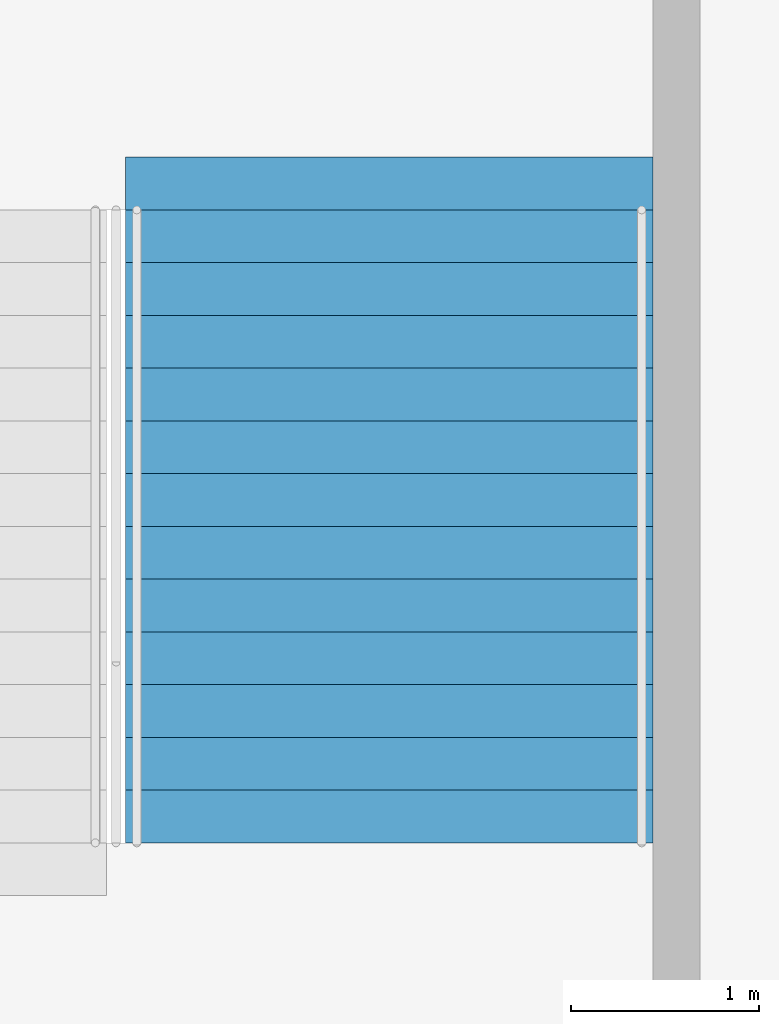
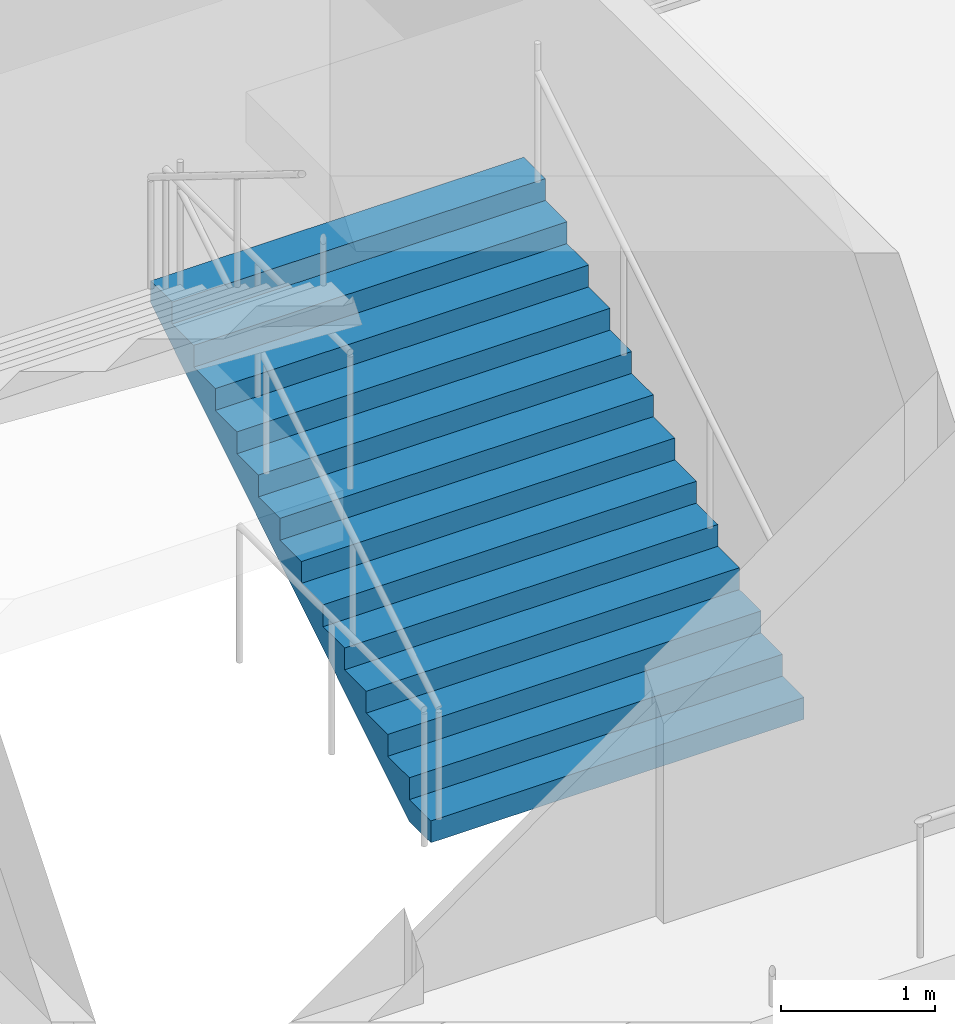
# One storey, part 151 of 177: 1 stair flight, 1 element without a shape of its own.
"""IFC4 building model written with IfcOpenShell, lengths in metres."""

from ifc_helpers import new_model, si_unit, direction, frame, origin, place, context, subcontext, project, spatial, faceted_brep, material, type_object, element, aggregate, save


model = new_model("IFC4")

# Units and contexts
model_context = context("Model", 3, precision=1e-05, world=origin(), true_north=direction((0.0, 1.0)))
body_context = subcontext(model_context, "Body", "Model", "MODEL_VIEW")
ifc_project = project(units=[si_unit("LENGTHUNIT", "METRE"), si_unit("AREAUNIT", "SQUARE_METRE"), si_unit("VOLUMEUNIT", "CUBIC_METRE"), si_unit("PLANEANGLEUNIT", "RADIAN"), si_unit("MASSUNIT", "GRAM", prefix="KILO")], contexts=[model_context])

# Site, building, storey
site_placement = place(None, origin())
site = spatial("IfcSite", under=ifc_project, at=site_placement, CompositionType="ELEMENT")
building_placement = place(site_placement, origin())
building = spatial("IfcBuilding", under=site, at=building_placement, Name="Ogive Plaza Stadium", CompositionType="ELEMENT")
storey_placement = place(building_placement, frame((0.0, 0.0, 18.0)))
storey = spatial("IfcBuildingStorey", under=building, at=storey_placement, Name="L04", CompositionType="ELEMENT", Elevation=18.0)

# Stair, stair flight
ifc_material_1 = material(Name="Concrete C40/50", Category="concrete")
stair_type = type_object("IfcStairType", Name="Exit stair", PredefinedType="STRAIGHT_RUN_STAIR", material=ifc_material_1)
stair_placement = place(storey_placement, origin())
stair = element("IfcStair", 1, at=stair_placement, inside=storey, type_object=stair_type, Name="Exit stair ST36A L04 to L05", PredefinedType="STRAIGHT_RUN_STAIR")
ifc_material_2 = material(Name="Concrete C40/50", Category="concrete")
stair_flight_type = type_object("IfcStairFlightType", Name="Exit stair flight", PredefinedType="STRAIGHT", material=ifc_material_2)
stair_flight_placement = place(storey_placement, frame((24.824951171875, 94.85009765625, 0.0), z_axis=(0.0, 0.0, 1.0), x_axis=(0.0, 1.0, 0.0)))
stair_flight = element("IfcStairFlight", 2, at=stair_flight_placement, type_object=stair_flight_type, Name="ST36A flight 1", NumberOfRisers=13, NumberOfTreads=12, PredefinedType="STRAIGHT", RiserHeight=0.173076923, TreadLength=0.28, context=body_context, shape_type="Brep", body=[
    faceted_brep([(0.28515625, -1.39990234375, 0.0), (3.639892578125, -1.39990234375, 2.07373046875), (3.639892578125, -1.39990234375, 2.25), (3.360107421875, -1.39990234375, 2.25), (3.360107421875, -1.39990234375, 2.076904296875), (3.080078125, -1.39990234375, 2.076904296875), (3.080078125, -1.39990234375, 1.90380859375), (2.800048828125, -1.39990234375, 1.90380859375), (2.800048828125, -1.39990234375, 1.730712890625), (2.52001953125, -1.39990234375, 1.730712890625), (2.52001953125, -1.39990234375, 1.5576171875), (2.239990234375, -1.39990234375, 1.5576171875), (2.239990234375, -1.39990234375, 1.384521484375), (1.9599609375, -1.39990234375, 1.384521484375), (1.9599609375, -1.39990234375, 1.21142578125), (1.679931640625, -1.39990234375, 1.21142578125), (1.679931640625, -1.39990234375, 1.03857421875), (1.39990234375, -1.39990234375, 1.03857421875), (1.39990234375, -1.39990234375, 0.865478515625), (1.1201171875, -1.39990234375, 0.865478515625), (1.1201171875, -1.39990234375, 0.6923828125), (0.840087890625, -1.39990234375, 0.6923828125), (0.840087890625, -1.39990234375, 0.519287109375), (0.56005859375, -1.39990234375, 0.519287109375), (0.56005859375, -1.39990234375, 0.34619140625), (0.280029296875, -1.39990234375, 0.34619140625), (0.280029296875, -1.39990234375, 0.173095703125), (0.0, -1.39990234375, 0.173095703125), (0.0, -1.39990234375, 0.0), (0.0, 1.39990234375, 0.0), (0.0, 1.39990234375, 0.173095703125), (0.280029296875, 1.39990234375, 0.173095703125), (0.280029296875, 1.39990234375, 0.34619140625), (0.56005859375, 1.39990234375, 0.34619140625), (0.56005859375, 1.39990234375, 0.519287109375), (0.840087890625, 1.39990234375, 0.519287109375), (0.840087890625, 1.39990234375, 0.6923828125), (1.1201171875, 1.39990234375, 0.6923828125), (1.1201171875, 1.39990234375, 0.865478515625), (1.39990234375, 1.39990234375, 0.865478515625), (1.39990234375, 1.39990234375, 1.03857421875), (1.679931640625, 1.39990234375, 1.03857421875), (1.679931640625, 1.39990234375, 1.21142578125), (1.9599609375, 1.39990234375, 1.21142578125), (1.9599609375, 1.39990234375, 1.384521484375), (2.239990234375, 1.39990234375, 1.384521484375), (2.239990234375, 1.39990234375, 1.5576171875), (2.52001953125, 1.39990234375, 1.5576171875), (2.52001953125, 1.39990234375, 1.730712890625), (2.800048828125, 1.39990234375, 1.730712890625), (2.800048828125, 1.39990234375, 1.90380859375), (3.080078125, 1.39990234375, 1.90380859375), (3.080078125, 1.39990234375, 2.076904296875), (3.360107421875, 1.39990234375, 2.076904296875), (3.360107421875, 1.39990234375, 2.25), (3.639892578125, 1.39990234375, 2.25), (3.639892578125, 1.39990234375, 2.07373046875), (0.28515625, 1.39990234375, 0.0), (0.28515625, -1.0888671875, 0.0), (3.639892578125, -1.0888671875, 2.07373046875), (0.28515625, -0.77783203125, 0.0), (3.639892578125, -0.77783203125, 2.07373046875), (0.28515625, -0.466796875, 0.0), (3.639892578125, -0.466796875, 2.07373046875), (0.28515625, -0.155517578125, 0.0), (3.639892578125, -0.155517578125, 2.07373046875), (0.28515625, 0.155517578125, 0.0), (3.639892578125, 0.155517578125, 2.07373046875), (0.28515625, 0.466796875, 0.0), (3.639892578125, 0.466796875, 2.07373046875), (0.28515625, 0.77783203125, 0.0), (3.639892578125, 0.77783203125, 2.07373046875), (0.28515625, 1.0888671875, 0.0), (3.639892578125, 1.0888671875, 2.07373046875), (3.639892578125, -1.0888671875, 2.25), (3.639892578125, -0.77783203125, 2.25), (3.639892578125, -0.466796875, 2.25), (3.639892578125, -0.155517578125, 2.25), (3.639892578125, 0.155517578125, 2.25), (3.639892578125, 0.466796875, 2.25), (3.639892578125, 0.77783203125, 2.25), (3.639892578125, 1.0888671875, 2.25), (3.360107421875, -1.0888671875, 2.25), (3.360107421875, -0.77783203125, 2.25), (3.360107421875, -0.466796875, 2.25), (3.360107421875, -0.155517578125, 2.25), (3.360107421875, 0.155517578125, 2.25), (3.360107421875, 0.466796875, 2.25), (3.360107421875, 0.77783203125, 2.25), (3.360107421875, 1.0888671875, 2.25), (3.360107421875, -1.0888671875, 2.076904296875), (3.360107421875, -0.77783203125, 2.076904296875), (3.360107421875, -0.466796875, 2.076904296875), (3.360107421875, -0.155517578125, 2.076904296875), (3.360107421875, 0.155517578125, 2.076904296875), (3.360107421875, 0.466796875, 2.076904296875), (3.360107421875, 0.77783203125, 2.076904296875), (3.360107421875, 1.0888671875, 2.076904296875), (3.080078125, -1.0888671875, 2.076904296875), (3.080078125, -0.77783203125, 2.076904296875), (3.080078125, -0.466796875, 2.076904296875), (3.080078125, -0.155517578125, 2.076904296875), (3.080078125, 0.155517578125, 2.076904296875), (3.080078125, 0.466796875, 2.076904296875), (3.080078125, 0.77783203125, 2.076904296875), (3.080078125, 1.0888671875, 2.076904296875), (3.080078125, -1.0888671875, 1.90380859375), (3.080078125, -0.77783203125, 1.90380859375), (3.080078125, -0.466796875, 1.90380859375), (3.080078125, -0.155517578125, 1.90380859375), (3.080078125, 0.155517578125, 1.90380859375), (3.080078125, 0.466796875, 1.90380859375), (3.080078125, 0.77783203125, 1.90380859375), (3.080078125, 1.0888671875, 1.90380859375), (2.800048828125, -1.0888671875, 1.90380859375), (2.800048828125, -0.77783203125, 1.90380859375), (2.800048828125, -0.466796875, 1.90380859375), (2.800048828125, -0.155517578125, 1.90380859375), (2.800048828125, 0.155517578125, 1.90380859375), (2.800048828125, 0.466796875, 1.90380859375), (2.800048828125, 0.77783203125, 1.90380859375), (2.800048828125, 1.0888671875, 1.90380859375), (2.800048828125, -1.0888671875, 1.730712890625), (2.800048828125, -0.77783203125, 1.730712890625), (2.800048828125, -0.466796875, 1.730712890625), (2.800048828125, -0.155517578125, 1.730712890625), (2.800048828125, 0.155517578125, 1.730712890625), (2.800048828125, 0.466796875, 1.730712890625), (2.800048828125, 0.77783203125, 1.730712890625), (2.800048828125, 1.0888671875, 1.730712890625), (2.52001953125, -1.0888671875, 1.730712890625), (2.52001953125, -0.77783203125, 1.730712890625), (2.52001953125, -0.466796875, 1.730712890625), (2.52001953125, -0.155517578125, 1.730712890625), (2.52001953125, 0.155517578125, 1.730712890625), (2.52001953125, 0.466796875, 1.730712890625), (2.52001953125, 0.77783203125, 1.730712890625), (2.52001953125, 1.0888671875, 1.730712890625), (2.52001953125, -1.0888671875, 1.5576171875), (2.52001953125, -0.77783203125, 1.5576171875), (2.52001953125, -0.466796875, 1.5576171875), (2.52001953125, -0.155517578125, 1.5576171875), (2.52001953125, 0.155517578125, 1.5576171875), (2.52001953125, 0.466796875, 1.5576171875), (2.52001953125, 0.77783203125, 1.5576171875), (2.52001953125, 1.0888671875, 1.5576171875), (2.239990234375, -1.0888671875, 1.5576171875), (2.239990234375, -0.77783203125, 1.5576171875), (2.239990234375, -0.466796875, 1.5576171875), (2.239990234375, -0.155517578125, 1.5576171875), (2.239990234375, 0.155517578125, 1.5576171875), (2.239990234375, 0.466796875, 1.5576171875), (2.239990234375, 0.77783203125, 1.5576171875), (2.239990234375, 1.0888671875, 1.5576171875), (2.239990234375, -1.0888671875, 1.384521484375), (2.239990234375, -0.77783203125, 1.384521484375), (2.239990234375, -0.466796875, 1.384521484375), (2.239990234375, -0.155517578125, 1.384521484375), (2.239990234375, 0.155517578125, 1.384521484375), (2.239990234375, 0.466796875, 1.384521484375), (2.239990234375, 0.77783203125, 1.384521484375), (2.239990234375, 1.0888671875, 1.384521484375), (1.9599609375, -1.0888671875, 1.384521484375), (1.9599609375, -0.77783203125, 1.384521484375), (1.9599609375, -0.466796875, 1.384521484375), (1.9599609375, -0.155517578125, 1.384521484375), (1.9599609375, 0.155517578125, 1.384521484375), (1.9599609375, 0.466796875, 1.384521484375), (1.9599609375, 0.77783203125, 1.384521484375), (1.9599609375, 1.0888671875, 1.384521484375), (1.9599609375, -1.0888671875, 1.21142578125), (1.9599609375, -0.77783203125, 1.21142578125), (1.9599609375, -0.466796875, 1.21142578125), (1.9599609375, -0.155517578125, 1.21142578125), (1.9599609375, 0.155517578125, 1.21142578125), (1.9599609375, 0.466796875, 1.21142578125), (1.9599609375, 0.77783203125, 1.21142578125), (1.9599609375, 1.0888671875, 1.21142578125), (1.679931640625, -1.0888671875, 1.21142578125), (1.679931640625, -0.77783203125, 1.21142578125), (1.679931640625, -0.466796875, 1.21142578125), (1.679931640625, -0.155517578125, 1.21142578125), (1.679931640625, 0.155517578125, 1.21142578125), (1.679931640625, 0.466796875, 1.21142578125), (1.679931640625, 0.77783203125, 1.21142578125), (1.679931640625, 1.0888671875, 1.21142578125), (1.679931640625, -1.0888671875, 1.03857421875), (1.679931640625, -0.77783203125, 1.03857421875), (1.679931640625, -0.466796875, 1.03857421875), (1.679931640625, -0.155517578125, 1.03857421875), (1.679931640625, 0.155517578125, 1.03857421875), (1.679931640625, 0.466796875, 1.03857421875), (1.679931640625, 0.77783203125, 1.03857421875), (1.679931640625, 1.0888671875, 1.03857421875), (1.39990234375, -1.0888671875, 1.03857421875), (1.39990234375, -0.77783203125, 1.03857421875), (1.39990234375, -0.466796875, 1.03857421875), (1.39990234375, -0.155517578125, 1.03857421875), (1.39990234375, 0.155517578125, 1.03857421875), (1.39990234375, 0.466796875, 1.03857421875), (1.39990234375, 0.77783203125, 1.03857421875), (1.39990234375, 1.0888671875, 1.03857421875), (1.39990234375, -1.0888671875, 0.865478515625), (1.39990234375, -0.77783203125, 0.865478515625), (1.39990234375, -0.466796875, 0.865478515625), (1.39990234375, -0.155517578125, 0.865478515625), (1.39990234375, 0.155517578125, 0.865478515625), (1.39990234375, 0.466796875, 0.865478515625), (1.39990234375, 0.77783203125, 0.865478515625), (1.39990234375, 1.0888671875, 0.865478515625), (1.1201171875, -1.0888671875, 0.865478515625), (1.1201171875, -0.77783203125, 0.865478515625), (1.1201171875, -0.466796875, 0.865478515625), (1.1201171875, -0.155517578125, 0.865478515625), (1.1201171875, 0.155517578125, 0.865478515625), (1.1201171875, 0.466796875, 0.865478515625), (1.1201171875, 0.77783203125, 0.865478515625), (1.1201171875, 1.0888671875, 0.865478515625), (1.1201171875, -1.0888671875, 0.6923828125), (1.1201171875, -0.77783203125, 0.6923828125), (1.1201171875, -0.466796875, 0.6923828125), (1.1201171875, -0.155517578125, 0.6923828125), (1.1201171875, 0.155517578125, 0.6923828125), (1.1201171875, 0.466796875, 0.6923828125), (1.1201171875, 0.77783203125, 0.6923828125), (1.1201171875, 1.0888671875, 0.6923828125), (0.840087890625, -1.0888671875, 0.6923828125), (0.840087890625, -0.77783203125, 0.6923828125), (0.840087890625, -0.466796875, 0.6923828125), (0.840087890625, -0.155517578125, 0.6923828125), (0.840087890625, 0.155517578125, 0.6923828125), (0.840087890625, 0.466796875, 0.6923828125), (0.840087890625, 0.77783203125, 0.6923828125), (0.840087890625, 1.0888671875, 0.6923828125), (0.840087890625, -1.0888671875, 0.519287109375), (0.840087890625, -0.77783203125, 0.519287109375), (0.840087890625, -0.466796875, 0.519287109375), (0.840087890625, -0.155517578125, 0.519287109375), (0.840087890625, 0.155517578125, 0.519287109375), (0.840087890625, 0.466796875, 0.519287109375), (0.840087890625, 0.77783203125, 0.519287109375), (0.840087890625, 1.0888671875, 0.519287109375), (0.56005859375, -1.0888671875, 0.519287109375), (0.56005859375, -0.77783203125, 0.519287109375), (0.56005859375, -0.466796875, 0.519287109375), (0.56005859375, -0.155517578125, 0.519287109375), (0.56005859375, 0.155517578125, 0.519287109375), (0.56005859375, 0.466796875, 0.519287109375), (0.56005859375, 0.77783203125, 0.519287109375), (0.56005859375, 1.0888671875, 0.519287109375), (0.56005859375, -1.0888671875, 0.34619140625), (0.56005859375, -0.77783203125, 0.34619140625), (0.56005859375, -0.466796875, 0.34619140625), (0.56005859375, -0.155517578125, 0.34619140625), (0.56005859375, 0.155517578125, 0.34619140625), (0.56005859375, 0.466796875, 0.34619140625), (0.56005859375, 0.77783203125, 0.34619140625), (0.56005859375, 1.0888671875, 0.34619140625), (0.280029296875, -1.0888671875, 0.34619140625), (0.280029296875, -0.77783203125, 0.34619140625), (0.280029296875, -0.466796875, 0.34619140625), (0.280029296875, -0.155517578125, 0.34619140625), (0.280029296875, 0.155517578125, 0.34619140625), (0.280029296875, 0.466796875, 0.34619140625), (0.280029296875, 0.77783203125, 0.34619140625), (0.280029296875, 1.0888671875, 0.34619140625), (0.280029296875, -1.0888671875, 0.173095703125), (0.280029296875, -0.77783203125, 0.173095703125), (0.280029296875, -0.466796875, 0.173095703125), (0.280029296875, -0.155517578125, 0.173095703125), (0.280029296875, 0.155517578125, 0.173095703125), (0.280029296875, 0.466796875, 0.173095703125), (0.280029296875, 0.77783203125, 0.173095703125), (0.280029296875, 1.0888671875, 0.173095703125), (0.0, -1.0888671875, 0.173095703125), (0.0, -0.77783203125, 0.173095703125), (0.0, -0.466796875, 0.173095703125), (0.0, -0.155517578125, 0.173095703125), (0.0, 0.155517578125, 0.173095703125), (0.0, 0.466796875, 0.173095703125), (0.0, 0.77783203125, 0.173095703125), (0.0, 1.0888671875, 0.173095703125), (0.0, -1.0888671875, 0.0), (0.0, -0.77783203125, 0.0), (0.0, -0.466796875, 0.0), (0.0, -0.155517578125, 0.0), (0.0, 0.155517578125, 0.0), (0.0, 0.466796875, 0.0), (0.0, 0.77783203125, 0.0), (0.0, 1.0888671875, 0.0)], [[[0, 1, 2, 3, 4, 5, 6, 7, 8, 9, 10, 11, 12, 13, 14, 15, 16, 17, 18, 19, 20, 21, 22, 23, 24, 25, 26, 27, 28]], [[29, 30, 31, 32, 33, 34, 35, 36, 37, 38, 39, 40, 41, 42, 43, 44, 45, 46, 47, 48, 49, 50, 51, 52, 53, 54, 55, 56, 57]], [[0, 58, 59, 1]], [[58, 60, 61, 59]], [[60, 62, 63, 61]], [[62, 64, 65, 63]], [[64, 66, 67, 65]], [[66, 68, 69, 67]], [[68, 70, 71, 69]], [[70, 72, 73, 71]], [[72, 57, 56, 73]], [[1, 59, 74, 2]], [[59, 61, 75, 74]], [[61, 63, 76, 75]], [[63, 65, 77, 76]], [[65, 67, 78, 77]], [[67, 69, 79, 78]], [[69, 71, 80, 79]], [[71, 73, 81, 80]], [[73, 56, 55, 81]], [[2, 74, 82, 3]], [[74, 75, 83, 82]], [[75, 76, 84, 83]], [[76, 77, 85, 84]], [[77, 78, 86, 85]], [[78, 79, 87, 86]], [[79, 80, 88, 87]], [[80, 81, 89, 88]], [[81, 55, 54, 89]], [[3, 82, 90, 4]], [[82, 83, 91, 90]], [[83, 84, 92, 91]], [[84, 85, 93, 92]], [[85, 86, 94, 93]], [[86, 87, 95, 94]], [[87, 88, 96, 95]], [[88, 89, 97, 96]], [[89, 54, 53, 97]], [[4, 90, 98, 5]], [[90, 91, 99, 98]], [[91, 92, 100, 99]], [[92, 93, 101, 100]], [[93, 94, 102, 101]], [[94, 95, 103, 102]], [[95, 96, 104, 103]], [[96, 97, 105, 104]], [[97, 53, 52, 105]], [[5, 98, 106, 6]], [[98, 99, 107, 106]], [[99, 100, 108, 107]], [[100, 101, 109, 108]], [[101, 102, 110, 109]], [[102, 103, 111, 110]], [[103, 104, 112, 111]], [[104, 105, 113, 112]], [[105, 52, 51, 113]], [[6, 106, 114, 7]], [[106, 107, 115, 114]], [[107, 108, 116, 115]], [[108, 109, 117, 116]], [[109, 110, 118, 117]], [[110, 111, 119, 118]], [[111, 112, 120, 119]], [[112, 113, 121, 120]], [[113, 51, 50, 121]], [[7, 114, 122, 8]], [[114, 115, 123, 122]], [[115, 116, 124, 123]], [[116, 117, 125, 124]], [[117, 118, 126, 125]], [[118, 119, 127, 126]], [[119, 120, 128, 127]], [[120, 121, 129, 128]], [[121, 50, 49, 129]], [[8, 122, 130, 9]], [[122, 123, 131, 130]], [[123, 124, 132, 131]], [[124, 125, 133, 132]], [[125, 126, 134, 133]], [[126, 127, 135, 134]], [[127, 128, 136, 135]], [[128, 129, 137, 136]], [[129, 49, 48, 137]], [[9, 130, 138, 10]], [[130, 131, 139, 138]], [[131, 132, 140, 139]], [[132, 133, 141, 140]], [[133, 134, 142, 141]], [[134, 135, 143, 142]], [[135, 136, 144, 143]], [[136, 137, 145, 144]], [[137, 48, 47, 145]], [[10, 138, 146, 11]], [[138, 139, 147, 146]], [[139, 140, 148, 147]], [[140, 141, 149, 148]], [[141, 142, 150, 149]], [[142, 143, 151, 150]], [[143, 144, 152, 151]], [[144, 145, 153, 152]], [[145, 47, 46, 153]], [[11, 146, 154, 12]], [[146, 147, 155, 154]], [[147, 148, 156, 155]], [[148, 149, 157, 156]], [[149, 150, 158, 157]], [[150, 151, 159, 158]], [[151, 152, 160, 159]], [[152, 153, 161, 160]], [[153, 46, 45, 161]], [[12, 154, 162, 13]], [[154, 155, 163, 162]], [[155, 156, 164, 163]], [[156, 157, 165, 164]], [[157, 158, 166, 165]], [[158, 159, 167, 166]], [[159, 160, 168, 167]], [[160, 161, 169, 168]], [[161, 45, 44, 169]], [[13, 162, 170, 14]], [[162, 163, 171, 170]], [[163, 164, 172, 171]], [[164, 165, 173, 172]], [[165, 166, 174, 173]], [[166, 167, 175, 174]], [[167, 168, 176, 175]], [[168, 169, 177, 176]], [[169, 44, 43, 177]], [[14, 170, 178, 15]], [[170, 171, 179, 178]], [[171, 172, 180, 179]], [[172, 173, 181, 180]], [[173, 174, 182, 181]], [[174, 175, 183, 182]], [[175, 176, 184, 183]], [[176, 177, 185, 184]], [[177, 43, 42, 185]], [[15, 178, 186, 16]], [[178, 179, 187, 186]], [[179, 180, 188, 187]], [[180, 181, 189, 188]], [[181, 182, 190, 189]], [[182, 183, 191, 190]], [[183, 184, 192, 191]], [[184, 185, 193, 192]], [[185, 42, 41, 193]], [[16, 186, 194, 17]], [[186, 187, 195, 194]], [[187, 188, 196, 195]], [[188, 189, 197, 196]], [[189, 190, 198, 197]], [[190, 191, 199, 198]], [[191, 192, 200, 199]], [[192, 193, 201, 200]], [[193, 41, 40, 201]], [[17, 194, 202, 18]], [[194, 195, 203, 202]], [[195, 196, 204, 203]], [[196, 197, 205, 204]], [[197, 198, 206, 205]], [[198, 199, 207, 206]], [[199, 200, 208, 207]], [[200, 201, 209, 208]], [[201, 40, 39, 209]], [[18, 202, 210, 19]], [[202, 203, 211, 210]], [[203, 204, 212, 211]], [[204, 205, 213, 212]], [[205, 206, 214, 213]], [[206, 207, 215, 214]], [[207, 208, 216, 215]], [[208, 209, 217, 216]], [[209, 39, 38, 217]], [[19, 210, 218, 20]], [[210, 211, 219, 218]], [[211, 212, 220, 219]], [[212, 213, 221, 220]], [[213, 214, 222, 221]], [[214, 215, 223, 222]], [[215, 216, 224, 223]], [[216, 217, 225, 224]], [[217, 38, 37, 225]], [[20, 218, 226, 21]], [[218, 219, 227, 226]], [[219, 220, 228, 227]], [[220, 221, 229, 228]], [[221, 222, 230, 229]], [[222, 223, 231, 230]], [[223, 224, 232, 231]], [[224, 225, 233, 232]], [[225, 37, 36, 233]], [[21, 226, 234, 22]], [[226, 227, 235, 234]], [[227, 228, 236, 235]], [[228, 229, 237, 236]], [[229, 230, 238, 237]], [[230, 231, 239, 238]], [[231, 232, 240, 239]], [[232, 233, 241, 240]], [[233, 36, 35, 241]], [[22, 234, 242, 23]], [[234, 235, 243, 242]], [[235, 236, 244, 243]], [[236, 237, 245, 244]], [[237, 238, 246, 245]], [[238, 239, 247, 246]], [[239, 240, 248, 247]], [[240, 241, 249, 248]], [[241, 35, 34, 249]], [[23, 242, 250, 24]], [[242, 243, 251, 250]], [[243, 244, 252, 251]], [[244, 245, 253, 252]], [[245, 246, 254, 253]], [[246, 247, 255, 254]], [[247, 248, 256, 255]], [[248, 249, 257, 256]], [[249, 34, 33, 257]], [[24, 250, 258, 25]], [[250, 251, 259, 258]], [[251, 252, 260, 259]], [[252, 253, 261, 260]], [[253, 254, 262, 261]], [[254, 255, 263, 262]], [[255, 256, 264, 263]], [[256, 257, 265, 264]], [[257, 33, 32, 265]], [[25, 258, 266, 26]], [[258, 259, 267, 266]], [[259, 260, 268, 267]], [[260, 261, 269, 268]], [[261, 262, 270, 269]], [[262, 263, 271, 270]], [[263, 264, 272, 271]], [[264, 265, 273, 272]], [[265, 32, 31, 273]], [[26, 266, 274, 27]], [[266, 267, 275, 274]], [[267, 268, 276, 275]], [[268, 269, 277, 276]], [[269, 270, 278, 277]], [[270, 271, 279, 278]], [[271, 272, 280, 279]], [[272, 273, 281, 280]], [[273, 31, 30, 281]], [[27, 274, 282, 28]], [[274, 275, 283, 282]], [[275, 276, 284, 283]], [[276, 277, 285, 284]], [[277, 278, 286, 285]], [[278, 279, 287, 286]], [[279, 280, 288, 287]], [[280, 281, 289, 288]], [[281, 30, 29, 289]], [[28, 282, 58, 0]], [[282, 283, 60, 58]], [[283, 284, 62, 60]], [[284, 285, 64, 62]], [[285, 286, 66, 64]], [[286, 287, 68, 66]], [[287, 288, 70, 68]], [[288, 289, 72, 70]], [[289, 29, 57, 72]]]),
])
aggregate(stair, [stair_flight])

save(model, "model.ifc")
